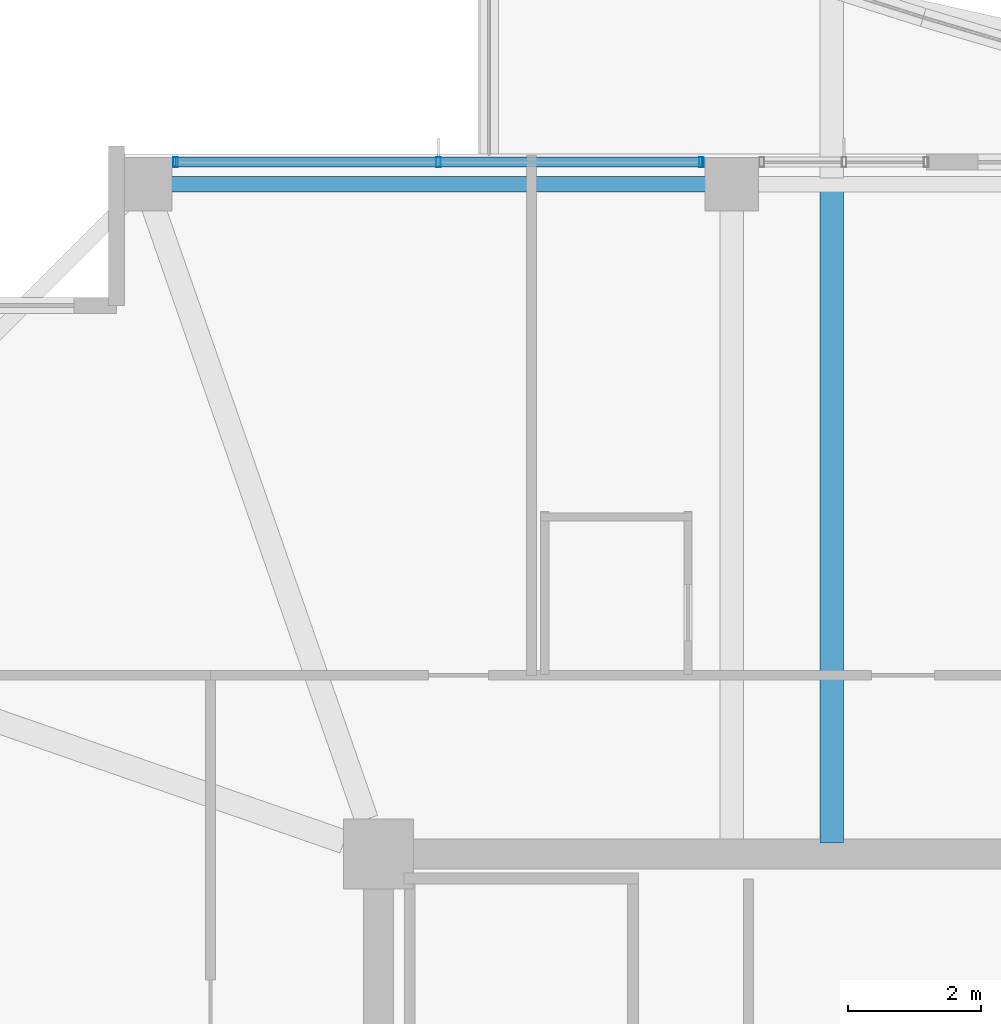
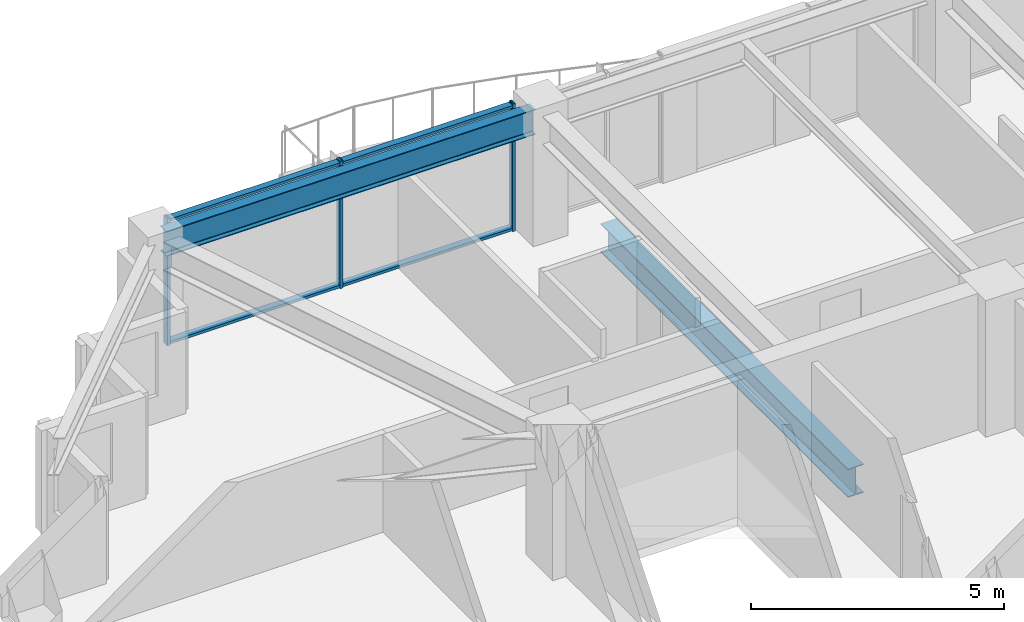
# One storey, part 16 of 36: 5 members, 2 beams, 1 element without a shape of its own.
"""IFC4 building model written with IfcOpenShell, lengths in metres."""

from ifc_helpers import new_model, si_unit, direction, frame, origin, origin_2d, place, context, subcontext, project, spatial, hollow_rectangle, i_section, extrude, material, material_profile, profile_set, type_object, element, aggregate, save


model = new_model("IFC4")

# Units and contexts
model_context = context("Model", 3, precision=1e-05, world=origin(), true_north=direction((0.0, 1.0)))
body_context = subcontext(model_context, "Body", "Model", "MODEL_VIEW")
ifc_project = project(units=[si_unit("LENGTHUNIT", "METRE"), si_unit("AREAUNIT", "SQUARE_METRE"), si_unit("VOLUMEUNIT", "CUBIC_METRE"), si_unit("PLANEANGLEUNIT", "RADIAN"), si_unit("MASSUNIT", "GRAM", prefix="KILO")], contexts=[model_context])

# Site, building, storey
site_placement = place(None, origin())
site = spatial("IfcSite", under=ifc_project, at=site_placement, CompositionType="ELEMENT")
building_placement = place(site_placement, origin())
building = spatial("IfcBuilding", under=site, at=building_placement, Name="Kolvaren Belvedere", CompositionType="ELEMENT")
storey_placement = place(building_placement, frame((0.0, 0.0, 226.199951171875)))
storey = spatial("IfcBuildingStorey", under=building, at=storey_placement, Name="L66", CompositionType="ELEMENT", Elevation=226.199951171875)

# Beams
ifc_material_1 = material(Name="Structural steel ASTM A992 Grade 50", Category="steel")
ifc_material_profile_1 = material_profile(ifc_material_1, i_section(OverallWidth=0.35498046875, OverallDepth=0.696044921875, WebThickness=0.015380859375, FlangeThickness=0.02490234375, FilletRadius=0.02197265625, at=origin_2d()), Name="W27X146")
ifc_profile_set_1 = profile_set([ifc_material_profile_1], Name="Structural steel ASTM A992 Grade 50")
beam_type_1 = type_object("IfcBeamType", Name="BM-GIRD-W27X146", PredefinedType="BEAM", material=ifc_profile_set_1)
beam_1_placement = place(storey_placement, frame((-3.10009765625, 10.06494140625, -0.56787109375), z_axis=(0.0, 1.0, 0.0), x_axis=(-1.0, 0.0, 0.0)))
element("IfcBeam", 1, at=beam_1_placement, inside=storey, type_object=beam_type_1, Name="L66 Balcony Interior Back-Span Girder BAL-N-1", PredefinedType="BEAM", context=body_context, shape_type="SweptSolid", body=[
    extrude(i_section(OverallWidth=0.35498046875, OverallDepth=0.696044921875, WebThickness=0.015380859375, FlangeThickness=0.02490234375, FilletRadius=0.02197265625, at=origin_2d()), origin(), (0.0, 0.0, 1.0), 9.7900390625),
])
ifc_material_2 = material(Name="Structural steel ASTM A992 Grade 50", Category="steel")
ifc_material_profile_2 = material_profile(ifc_material_2, i_section(OverallWidth=0.22900390625, OverallDepth=0.612060546875, WebThickness=0.011962890625, FlangeThickness=0.01953125, FilletRadius=0.01806640625, at=origin_2d()), Name="W24X84")
ifc_profile_set_2 = profile_set([ifc_material_profile_2], Name="Structural steel ASTM A992 Grade 50")
beam_type_2 = type_object("IfcBeamType", Name="BM-SPAN-W24X84", PredefinedType="SPANDREL", material=ifc_profile_set_2)
beam_2_placement = place(storey_placement, frame((-4.780029296875, 19.949951171875, 2.774169921875), z_axis=(-1.0, 0.0, 0.0), x_axis=(0.0, -1.0, 0.0)))
element("IfcBeam", 2, at=beam_2_placement, inside=storey, type_object=beam_type_2, Name="L66 Perimeter Spandrel N2-N1", PredefinedType="SPANDREL", context=body_context, shape_type="SweptSolid", body=[
    extrude(i_section(OverallWidth=0.22900390625, OverallDepth=0.612060546875, WebThickness=0.011962890625, FlangeThickness=0.01953125, FilletRadius=0.01806640625, at=origin_2d()), origin(), (0.0, 0.0, 1.0), 8.43994140625),
])

# Curtain wall, members
ifc_material_3 = material(Name="Anodised pale-metal aluminium AA 6063-T6", Category="aluminium")
curtain_wall_type = type_object("IfcCurtainWallType", Name="CW-Z5-HIGH", PredefinedType="NOTDEFINED", material=ifc_material_3)
curtain_wall_placement = place(storey_placement, origin())
curtain_wall = element("IfcCurtainWall", 3, at=curtain_wall_placement, inside=storey, type_object=curtain_wall_type, Name="L66 Unitised Curtain Wall FCW-L66-N1-B1", PredefinedType="NOTDEFINED")
ifc_material_4 = material(Name="Anodised pale-metal aluminium AA 6063-T6", Category="aluminium")
ifc_material_profile_3 = material_profile(ifc_material_4, hollow_rectangle(XDim=0.070068359375, YDim=0.14990234375, WallThickness=0.004150390625, at=origin_2d()), Name="ALU-MUL-150X70")
ifc_profile_set_3 = profile_set([ifc_material_profile_3], Name="Anodised pale-metal aluminium AA 6063-T6")
member_type_1 = type_object("IfcMemberType", Name="CW-MUL-150", PredefinedType="MULLION", material=ifc_profile_set_3)
member_1_placement = place(storey_placement, frame((-12.945068359375, 20.280029296875, 0.0), z_axis=(0.0, 0.0, 1.0), x_axis=(1.0, 0.0, 0.0)))
member_1 = element("IfcMember", 4, at=member_1_placement, type_object=member_type_1, Name="FCW-L66-N1-B1 Unitised Mullion 1", PredefinedType="MULLION", context=body_context, shape_type="SweptSolid", body=[
    extrude(hollow_rectangle(XDim=0.070068359375, YDim=0.14990234375, WallThickness=0.004150390625, at=origin_2d()), origin(), (0.0, 0.0, 1.0), 3.080078125),
])
member_2_placement = place(storey_placement, frame((-9.0, 20.280029296875, 0.0), z_axis=(0.0, 0.0, 1.0), x_axis=(1.0, 0.0, 0.0)))
member_2 = element("IfcMember", 5, at=member_2_placement, type_object=member_type_1, Name="FCW-L66-N1-B1 Unitised Mullion 2", PredefinedType="MULLION", context=body_context, shape_type="SweptSolid", body=[
    extrude(hollow_rectangle(XDim=0.070068359375, YDim=0.14990234375, WallThickness=0.004150390625, at=origin_2d()), origin(), (0.0, 0.0, 1.0), 3.080078125),
])
member_3_placement = place(storey_placement, frame((-5.054931640625, 20.280029296875, 0.0), z_axis=(0.0, 0.0, 1.0), x_axis=(1.0, 0.0, 0.0)))
member_3 = element("IfcMember", 6, at=member_3_placement, type_object=member_type_1, Name="FCW-L66-N1-B1 Unitised Mullion 3", PredefinedType="MULLION", context=body_context, shape_type="SweptSolid", body=[
    extrude(hollow_rectangle(XDim=0.070068359375, YDim=0.14990234375, WallThickness=0.004150390625, at=origin_2d()), origin(), (0.0, 0.0, 1.0), 3.080078125),
])
ifc_material_5 = material(Name="Anodised pale-metal aluminium AA 6063-T6", Category="aluminium")
ifc_material_profile_4 = material_profile(ifc_material_5, hollow_rectangle(XDim=0.06494140625, YDim=0.14990234375, WallThickness=0.00390625, at=origin_2d()), Name="ALU-TRN-150X65")
ifc_profile_set_4 = profile_set([ifc_material_profile_4], Name="Anodised pale-metal aluminium AA 6063-T6")
member_type_2 = type_object("IfcMemberType", Name="CW-TRN-150", PredefinedType="USERDEFINED", material=ifc_profile_set_4)
member_4_placement = place(storey_placement, frame((-12.945068359375, 20.280029296875, 0.06005859375), z_axis=(1.0, 0.0, 0.0), x_axis=(0.0, 0.0, 1.0)))
member_4 = element("IfcMember", 7, at=member_4_placement, type_object=member_type_2, Name="FCW-L66-N1-B1 Sill Transom", ObjectType="TRANSOM", PredefinedType="USERDEFINED", context=body_context, shape_type="SweptSolid", body=[
    extrude(hollow_rectangle(XDim=0.06494140625, YDim=0.14990234375, WallThickness=0.00390625, at=origin_2d()), origin(), (0.0, 0.0, 1.0), 7.89013671875),
])
member_5_placement = place(storey_placement, frame((-12.945068359375, 20.280029296875, 3.02001953125), z_axis=(1.0, 0.0, 0.0), x_axis=(0.0, 0.0, 1.0)))
member_5 = element("IfcMember", 8, at=member_5_placement, type_object=member_type_2, Name="FCW-L66-N1-B1 Head Transom", ObjectType="TRANSOM", PredefinedType="USERDEFINED", context=body_context, shape_type="SweptSolid", body=[
    extrude(hollow_rectangle(XDim=0.06494140625, YDim=0.14990234375, WallThickness=0.00390625, at=origin_2d()), origin(), (0.0, 0.0, 1.0), 7.89013671875),
])
aggregate(curtain_wall, [member_1, member_2, member_3, member_4, member_5])

save(model, "model.ifc")
